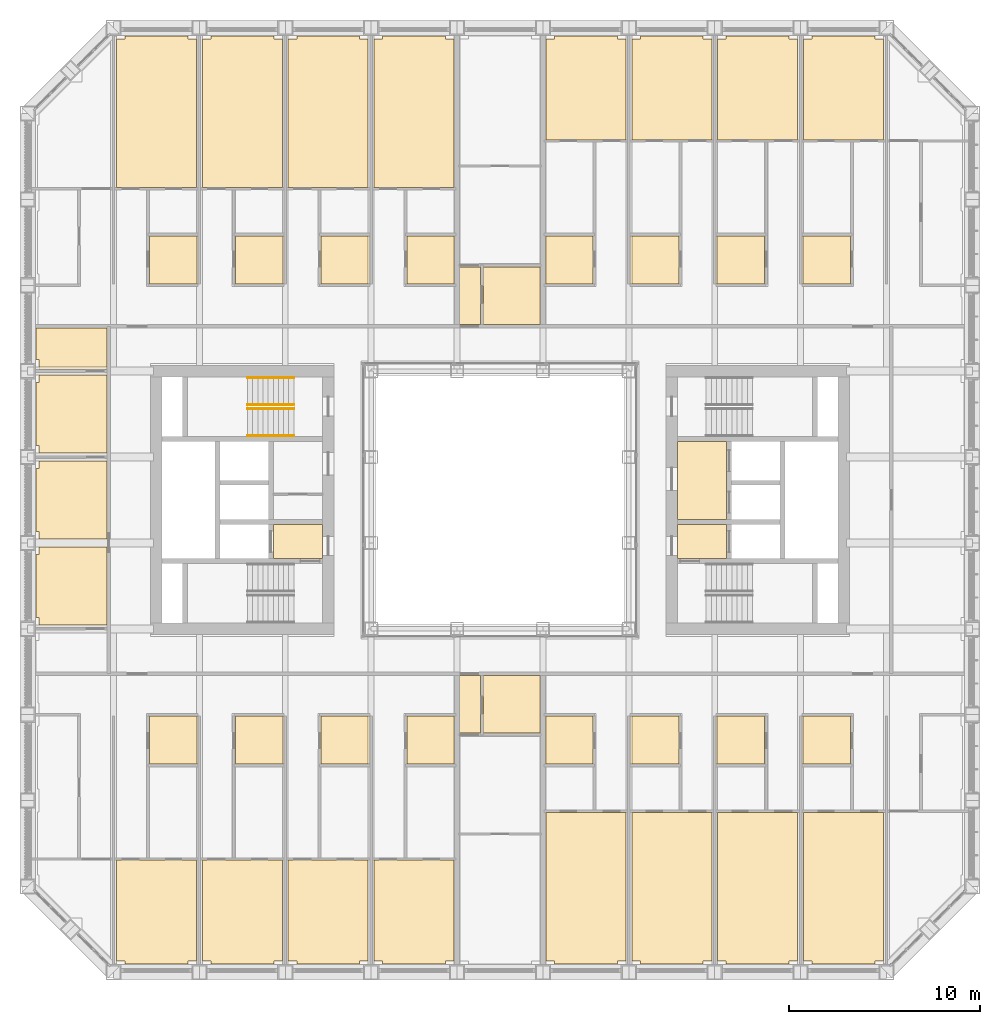
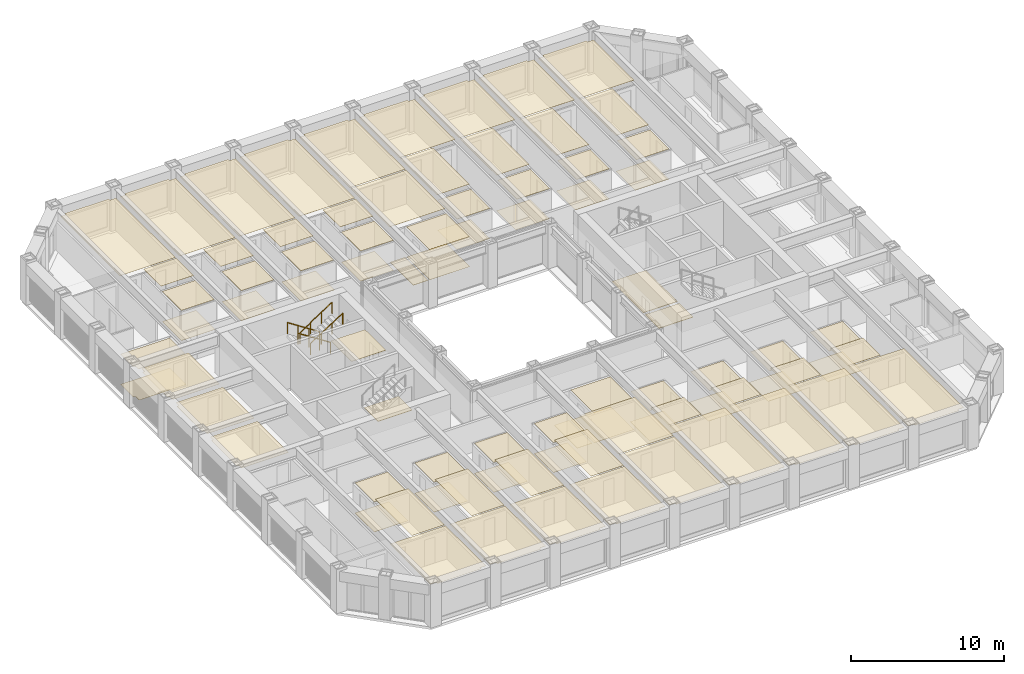
# One storey, part 18 of 21: 4 coverings, 4 railings.
"""IFC4 building model written with IfcOpenShell, lengths in metres."""

from ifc_helpers import new_model, si_unit, direction, frame, origin, origin_2d, place, context, subcontext, project, spatial, line, indexed_curve, circle, outline, extrude, material, layer, layer_set, type_object, element, save


model = new_model("IFC4")

# Units and contexts
model_context = context("Model", 3, precision=1e-05, world=origin(), true_north=direction((0.0, 1.0)))
body_context = subcontext(model_context, "Body", "Model", "MODEL_VIEW")
ifc_project = project(units=[si_unit("LENGTHUNIT", "METRE"), si_unit("AREAUNIT", "SQUARE_METRE"), si_unit("VOLUMEUNIT", "CUBIC_METRE"), si_unit("PLANEANGLEUNIT", "RADIAN"), si_unit("MASSUNIT", "GRAM", prefix="KILO")], contexts=[model_context])

# Site, building, storey
site_placement = place(None, origin())
site = spatial("IfcSite", under=ifc_project, at=site_placement, CompositionType="ELEMENT")
building_placement = place(site_placement, origin())
building = spatial("IfcBuilding", under=site, at=building_placement, Name="Msasa Ring Tower", CompositionType="ELEMENT")
storey_placement = place(building_placement, frame((0.0, 0.0, 100.0)))
storey = spatial("IfcBuildingStorey", under=building, at=storey_placement, Name="L26", CompositionType="ELEMENT", Elevation=100.0)

# Coverings
ifc_material_1 = material(Name="Gypsum plasterboard on a steel suspension grid", Category="steel")
ifc_layer_1 = layer(ifc_material_1, 0.014892578125)
ifc_layer_set_1 = layer_set([ifc_layer_1], Name="C1 SUSPENDED PLASTERBOARD CEILING 15")
covering_type_1 = type_object("IfcCoveringType", Name="C1 SUSPENDED PLASTERBOARD CEILING 15", PredefinedType="CEILING", material=ifc_layer_set_1)
covering_1_placement = place(storey_placement, frame((0.0, 0.0, 2.699951171875)))
element("IfcCovering", 1, at=covering_1_placement, inside=storey, type_object=covering_type_1, Name="Suspended Plasterboard Ceiling 15 L26", PredefinedType="CEILING", context=body_context, shape_type="SweptSolid", body=[
    extrude(outline(indexed_curve([(-24.299560546875, -2.8505859375), (-24.1494140625, -2.8505859375), (-24.1494140625, -2.460693359375), (-20.6005859375, -2.460693359375), (-20.6005859375, -6.539306640625), (-24.1494140625, -6.539306640625), (-24.1494140625, -6.1494140625), (-24.299560546875, -6.1494140625)], segments=[line(1, 2, 3, 4, 5, 6, 7, 8, 1)], self_intersect=False)), origin(), (0.0, 0.0, 1.0), 0.01513671875),
    extrude(outline(indexed_curve([(-24.299560546875, 1.6494140625), (-24.1494140625, 1.6494140625), (-24.1494140625, 2.039306640625), (-20.6005859375, 2.039306640625), (-20.6005859375, -2.039306640625), (-24.1494140625, -2.039306640625), (-24.1494140625, -1.6494140625), (-24.299560546875, -1.6494140625)], segments=[line(1, 2, 3, 4, 5, 6, 7, 8, 1)], self_intersect=False)), origin(), (0.0, 0.0, 1.0), 0.01513671875),
    extrude(outline(indexed_curve([(-24.299560546875, 6.1494140625), (-24.1494140625, 6.1494140625), (-24.1494140625, 6.539306640625), (-20.6005859375, 6.539306640625), (-20.6005859375, 2.460693359375), (-24.1494140625, 2.460693359375), (-24.1494140625, 2.8505859375), (-24.299560546875, 2.8505859375)], segments=[line(1, 2, 3, 4, 5, 6, 7, 8, 1)], self_intersect=False)), origin(), (0.0, 0.0, 1.0), 0.01513671875),
    extrude(outline(indexed_curve([(-15.904296875, -18.867919921875), (-15.904296875, -24.1494140625), (-16.3505859375, -24.1494140625), (-16.3505859375, -24.299560546875), (-19.6494140625, -24.299560546875), (-19.6494140625, -24.1494140625), (-20.095703125, -24.1494140625), (-20.095703125, -18.867919921875)], segments=[line(1, 2, 3, 4, 5, 6, 7, 8, 1)], self_intersect=False)), origin(), (0.0, 0.0, 1.0), 0.01513671875),
    extrude(outline(indexed_curve([(-20.095703125, 16.367919921875), (-20.095703125, 24.1494140625), (-19.6494140625, 24.1494140625), (-19.6494140625, 24.299560546875), (-16.3505859375, 24.299560546875), (-16.3505859375, 24.1494140625), (-15.904296875, 24.1494140625), (-15.904296875, 16.367919921875)], segments=[line(1, 2, 3, 4, 5, 6, 7, 8, 1)], self_intersect=False)), origin(), (0.0, 0.0, 1.0), 0.01513671875),
    extrude(outline(indexed_curve([(-15.904296875, -13.992919921875), (-15.904296875, -18.757080078125), (-18.369384765625, -18.757080078125), (-18.369384765625, -13.992919921875)], segments=[line(1, 2, 3, 4, 1)], self_intersect=False)), origin(), (0.0, 0.0, 1.0), 0.01513671875),
    extrude(outline(indexed_curve([(-15.904296875, 16.257080078125), (-15.904296875, 13.992919921875), (-18.369384765625, 13.992919921875), (-18.369384765625, 16.257080078125)], segments=[line(1, 2, 3, 4, 1)], self_intersect=False)), origin(), (0.0, 0.0, 1.0), 0.01513671875),
    extrude(outline(indexed_curve([(-15.1494140625, -24.299560546875), (-15.1494140625, -24.1494140625), (-15.595703125, -24.1494140625), (-15.595703125, -18.867919921875), (-11.404296875, -18.867919921875), (-11.404296875, -24.1494140625), (-11.8505859375, -24.1494140625), (-11.8505859375, -24.299560546875)], segments=[line(1, 2, 3, 4, 5, 6, 7, 8, 1)], self_intersect=False)), origin(), (0.0, 0.0, 1.0), 0.01513671875),
    extrude(outline(indexed_curve([(-11.8505859375, 24.299560546875), (-11.8505859375, 24.1494140625), (-11.404296875, 24.1494140625), (-11.404296875, 16.367919921875), (-15.595703125, 16.367919921875), (-15.595703125, 24.1494140625), (-15.1494140625, 24.1494140625), (-15.1494140625, 24.299560546875)], segments=[line(1, 2, 3, 4, 5, 6, 7, 8, 1)], self_intersect=False)), origin(), (0.0, 0.0, 1.0), 0.01513671875),
    extrude(outline(indexed_curve([(-13.869384765625, -18.757080078125), (-13.869384765625, -13.992919921875), (-11.404296875, -13.992919921875), (-11.404296875, -18.757080078125)], segments=[line(1, 2, 3, 4, 1)], self_intersect=False)), origin(), (0.0, 0.0, 1.0), 0.01513671875),
    extrude(outline(indexed_curve([(-13.869384765625, 13.992919921875), (-13.869384765625, 16.257080078125), (-11.404296875, 16.257080078125), (-11.404296875, 13.992919921875)], segments=[line(1, 2, 3, 4, 1)], self_intersect=False)), origin(), (0.0, 0.0, 1.0), 0.01513671875),
    extrude(outline(indexed_curve([(-9.300537109375, 3.074462890625), (-9.300537109375, 0.35546875), (-11.87451171875, 0.35546875), (-11.87451171875, 3.074462890625)], segments=[line(1, 2, 3, 4, 1)], self_intersect=False)), origin(), (0.0, 0.0, 1.0), 0.01513671875),
    extrude(outline(indexed_curve([(-10.6494140625, -24.299560546875), (-10.6494140625, -24.1494140625), (-11.095703125, -24.1494140625), (-11.095703125, -18.867919921875), (-6.904296875, -18.867919921875), (-6.904296875, -24.1494140625), (-7.3505859375, -24.1494140625), (-7.3505859375, -24.299560546875)], segments=[line(1, 2, 3, 4, 5, 6, 7, 8, 1)], self_intersect=False)), origin(), (0.0, 0.0, 1.0), 0.01513671875),
    extrude(outline(indexed_curve([(-7.3505859375, 24.299560546875), (-7.3505859375, 24.1494140625), (-6.904296875, 24.1494140625), (-6.904296875, 16.367919921875), (-11.095703125, 16.367919921875), (-11.095703125, 24.1494140625), (-10.6494140625, 24.1494140625), (-10.6494140625, 24.299560546875)], segments=[line(1, 2, 3, 4, 5, 6, 7, 8, 1)], self_intersect=False)), origin(), (0.0, 0.0, 1.0), 0.01513671875),
    extrude(outline(indexed_curve([(-6.904296875, -13.992919921875), (-6.904296875, -18.757080078125), (-9.369384765625, -18.757080078125), (-9.369384765625, -13.992919921875)], segments=[line(1, 2, 3, 4, 1)], self_intersect=False)), origin(), (0.0, 0.0, 1.0), 0.01513671875),
    extrude(outline(indexed_curve([(-9.369384765625, 13.992919921875), (-9.369384765625, 16.257080078125), (-6.904296875, 16.257080078125), (-6.904296875, 13.992919921875)], segments=[line(1, 2, 3, 4, 1)], self_intersect=False)), origin(), (0.0, 0.0, 1.0), 0.01513671875),
    extrude(outline(indexed_curve([(-6.1494140625, -24.299560546875), (-6.1494140625, -24.1494140625), (-6.595703125, -24.1494140625), (-6.595703125, -18.867919921875), (-2.404296875, -18.867919921875), (-2.404296875, -24.1494140625), (-2.8505859375, -24.1494140625), (-2.8505859375, -24.299560546875)], segments=[line(1, 2, 3, 4, 5, 6, 7, 8, 1)], self_intersect=False)), origin(), (0.0, 0.0, 1.0), 0.01513671875),
    extrude(outline(indexed_curve([(-2.8505859375, 24.299560546875), (-2.8505859375, 24.1494140625), (-2.404296875, 24.1494140625), (-2.404296875, 16.367919921875), (-6.595703125, 16.367919921875), (-6.595703125, 24.1494140625), (-6.1494140625, 24.1494140625), (-6.1494140625, 24.299560546875)], segments=[line(1, 2, 3, 4, 5, 6, 7, 8, 1)], self_intersect=False)), origin(), (0.0, 0.0, 1.0), 0.01513671875),
    extrude(outline(indexed_curve([(-2.404296875, -13.992919921875), (-2.404296875, -18.757080078125), (-4.869384765625, -18.757080078125), (-4.869384765625, -13.992919921875)], segments=[line(1, 2, 3, 4, 1)], self_intersect=False)), origin(), (0.0, 0.0, 1.0), 0.01513671875),
    extrude(outline(indexed_curve([(-2.404296875, 16.257080078125), (-2.404296875, 13.992919921875), (-4.869384765625, 13.992919921875), (-4.869384765625, 16.257080078125)], segments=[line(1, 2, 3, 4, 1)], self_intersect=False)), origin(), (0.0, 0.0, 1.0), 0.01513671875),
    extrude(outline(indexed_curve([(-1.6494140625, -24.299560546875), (-1.6494140625, -24.1494140625), (-2.095703125, -24.1494140625), (-2.095703125, -17.555419921875), (2.095703125, -17.555419921875), (2.095703125, -24.1494140625), (1.6494140625, -24.1494140625), (1.6494140625, -24.299560546875)], segments=[line(1, 2, 3, 4, 5, 6, 7, 8, 1)], self_intersect=False)), origin(), (0.0, 0.0, 1.0), 0.01513671875),
    extrude(outline(indexed_curve([(-2.095703125, -17.444580078125), (-2.095703125, -12.380615234375), (2.095703125, -12.380615234375), (2.095703125, -17.444580078125)], segments=[line(1, 2, 3, 4, 1)], self_intersect=False)), origin(), (0.0, 0.0, 1.0), 0.01513671875),
    extrude(outline(indexed_curve([(2.095703125, 17.444580078125), (2.095703125, 12.380615234375), (-2.095703125, 12.380615234375), (-2.095703125, 17.444580078125)], segments=[line(1, 2, 3, 4, 1)], self_intersect=False)), origin(), (0.0, 0.0, 1.0), 0.01513671875),
    extrude(outline(indexed_curve([(1.6494140625, 24.299560546875), (1.6494140625, 24.1494140625), (2.095703125, 24.1494140625), (2.095703125, 17.555419921875), (-2.095703125, 17.555419921875), (-2.095703125, 24.1494140625), (-1.6494140625, 24.1494140625), (-1.6494140625, 24.299560546875)], segments=[line(1, 2, 3, 4, 5, 6, 7, 8, 1)], self_intersect=False)), origin(), (0.0, 0.0, 1.0), 0.01513671875),
    extrude(outline(indexed_curve([(2.8505859375, -24.299560546875), (2.8505859375, -24.1494140625), (2.404296875, -24.1494140625), (2.404296875, -16.367919921875), (6.595703125, -16.367919921875), (6.595703125, -24.1494140625), (6.1494140625, -24.1494140625), (6.1494140625, -24.299560546875)], segments=[line(1, 2, 3, 4, 5, 6, 7, 8, 1)], self_intersect=False)), origin(), (0.0, 0.0, 1.0), 0.01513671875),
    extrude(outline(indexed_curve([(4.869384765625, -13.992919921875), (4.869384765625, -16.257080078125), (2.404296875, -16.257080078125), (2.404296875, -13.992919921875)], segments=[line(1, 2, 3, 4, 1)], self_intersect=False)), origin(), (0.0, 0.0, 1.0), 0.01513671875),
    extrude(outline(indexed_curve([(4.869384765625, 13.992919921875), (2.404296875, 13.992919921875), (2.404296875, 18.757080078125), (4.869384765625, 18.757080078125)], segments=[line(1, 2, 3, 4, 1)], self_intersect=False)), origin(), (0.0, 0.0, 1.0), 0.01513671875),
    extrude(outline(indexed_curve([(6.1494140625, 24.299560546875), (6.1494140625, 24.1494140625), (6.595703125, 24.1494140625), (6.595703125, 18.867919921875), (2.404296875, 18.867919921875), (2.404296875, 24.1494140625), (2.8505859375, 24.1494140625), (2.8505859375, 24.299560546875)], segments=[line(1, 2, 3, 4, 5, 6, 7, 8, 1)], self_intersect=False)), origin(), (0.0, 0.0, 1.0), 0.01513671875),
    extrude(outline(indexed_curve([(7.3505859375, -24.299560546875), (7.3505859375, -24.1494140625), (6.904296875, -24.1494140625), (6.904296875, -16.367919921875), (11.095703125, -16.367919921875), (11.095703125, -24.1494140625), (10.6494140625, -24.1494140625), (10.6494140625, -24.299560546875)], segments=[line(1, 2, 3, 4, 5, 6, 7, 8, 1)], self_intersect=False)), origin(), (0.0, 0.0, 1.0), 0.01513671875),
    extrude(outline(indexed_curve([(9.369384765625, -13.992919921875), (9.369384765625, -16.257080078125), (6.904296875, -16.257080078125), (6.904296875, -13.992919921875)], segments=[line(1, 2, 3, 4, 1)], self_intersect=False)), origin(), (0.0, 0.0, 1.0), 0.01513671875),
    extrude(outline(indexed_curve([(9.369384765625, 18.757080078125), (9.369384765625, 13.992919921875), (6.904296875, 13.992919921875), (6.904296875, 18.757080078125)], segments=[line(1, 2, 3, 4, 1)], self_intersect=False)), origin(), (0.0, 0.0, 1.0), 0.01513671875),
    extrude(outline(indexed_curve([(10.6494140625, 24.299560546875), (10.6494140625, 24.1494140625), (11.095703125, 24.1494140625), (11.095703125, 18.867919921875), (6.904296875, 18.867919921875), (6.904296875, 24.1494140625), (7.3505859375, 24.1494140625), (7.3505859375, 24.299560546875)], segments=[line(1, 2, 3, 4, 5, 6, 7, 8, 1)], self_intersect=False)), origin(), (0.0, 0.0, 1.0), 0.01513671875),
    extrude(outline(indexed_curve([(11.8505859375, -24.299560546875), (11.8505859375, -24.1494140625), (11.404296875, -24.1494140625), (11.404296875, -16.367919921875), (15.595703125, -16.367919921875), (15.595703125, -24.1494140625), (15.1494140625, -24.1494140625), (15.1494140625, -24.299560546875)], segments=[line(1, 2, 3, 4, 5, 6, 7, 8, 1)], self_intersect=False)), origin(), (0.0, 0.0, 1.0), 0.01513671875),
    extrude(outline(indexed_curve([(13.869384765625, -16.257080078125), (11.404296875, -16.257080078125), (11.404296875, -13.992919921875), (13.869384765625, -13.992919921875)], segments=[line(1, 2, 3, 4, 1)], self_intersect=False)), origin(), (0.0, 0.0, 1.0), 0.01513671875),
    extrude(outline(indexed_curve([(13.869384765625, 18.757080078125), (13.869384765625, 13.992919921875), (11.404296875, 13.992919921875), (11.404296875, 18.757080078125)], segments=[line(1, 2, 3, 4, 1)], self_intersect=False)), origin(), (0.0, 0.0, 1.0), 0.01513671875),
    extrude(outline(indexed_curve([(15.1494140625, 24.299560546875), (15.1494140625, 24.1494140625), (15.595703125, 24.1494140625), (15.595703125, 18.867919921875), (11.404296875, 18.867919921875), (11.404296875, 24.1494140625), (11.8505859375, 24.1494140625), (11.8505859375, 24.299560546875)], segments=[line(1, 2, 3, 4, 5, 6, 7, 8, 1)], self_intersect=False)), origin(), (0.0, 0.0, 1.0), 0.01513671875),
    extrude(outline(indexed_curve([(16.3505859375, -24.299560546875), (16.3505859375, -24.1494140625), (15.904296875, -24.1494140625), (15.904296875, -16.367919921875), (20.095703125, -16.367919921875), (20.095703125, -24.1494140625), (19.6494140625, -24.1494140625), (19.6494140625, -24.299560546875)], segments=[line(1, 2, 3, 4, 5, 6, 7, 8, 1)], self_intersect=False)), origin(), (0.0, 0.0, 1.0), 0.01513671875),
    extrude(outline(indexed_curve([(18.369384765625, -16.257080078125), (15.904296875, -16.257080078125), (15.904296875, -13.992919921875), (18.369384765625, -13.992919921875)], segments=[line(1, 2, 3, 4, 1)], self_intersect=False)), origin(), (0.0, 0.0, 1.0), 0.01513671875),
    extrude(outline(indexed_curve([(18.369384765625, 13.992919921875), (15.904296875, 13.992919921875), (15.904296875, 18.757080078125), (18.369384765625, 18.757080078125)], segments=[line(1, 2, 3, 4, 1)], self_intersect=False)), origin(), (0.0, 0.0, 1.0), 0.01513671875),
    extrude(outline(indexed_curve([(19.6494140625, 24.299560546875), (19.6494140625, 24.1494140625), (20.095703125, 24.1494140625), (20.095703125, 18.867919921875), (15.904296875, 18.867919921875), (15.904296875, 24.1494140625), (16.3505859375, 24.1494140625), (16.3505859375, 24.299560546875)], segments=[line(1, 2, 3, 4, 5, 6, 7, 8, 1)], self_intersect=False)), origin(), (0.0, 0.0, 1.0), 0.01513671875),
])
ifc_material_2 = material(Name="Moisture-resistant gypsum plasterboard on a steel suspension grid", Category="steel")
ifc_layer_2 = layer(ifc_material_2, 0.014892578125)
ifc_layer_set_2 = layer_set([ifc_layer_2], Name="C2 MOISTURE-RESISTANT PLASTERBOARD CEILING 15")
covering_type_2 = type_object("IfcCoveringType", Name="C2 MOISTURE-RESISTANT PLASTERBOARD CEILING 15", PredefinedType="CEILING", material=ifc_layer_set_2)
covering_2_placement = place(storey_placement, frame((0.0, 0.0, 2.39990234375)))
element("IfcCovering", 2, at=covering_2_placement, inside=storey, type_object=covering_type_2, Name="Moisture-Resistant Plasterboard Ceiling 15 L26", PredefinedType="CEILING", context=body_context, shape_type="SweptSolid", body=[
    extrude(outline(indexed_curve([(-20.6005859375, 6.960693359375), (-24.1494140625, 6.960693359375), (-24.1494140625, 7.3505859375), (-24.299560546875, 7.3505859375), (-24.299560546875, 8.99951171875), (-20.6005859375, 8.99951171875)], segments=[line(1, 2, 3, 4, 5, 6, 1)], self_intersect=False)), origin(), (0.0, 0.0, 1.0), 0.01513671875),
    extrude(outline(indexed_curve([(-18.369384765625, -11.318115234375), (-15.904296875, -11.318115234375), (-15.904296875, -13.83203125), (-18.369384765625, -13.83203125)], segments=[line(1, 2, 3, 4, 1)], self_intersect=False)), origin(), (0.0, 0.0, 1.0), 0.01513671875),
    extrude(outline(indexed_curve([(-18.369384765625, 13.83203125), (-15.904296875, 13.83203125), (-15.904296875, 11.318115234375), (-18.369384765625, 11.318115234375)], segments=[line(1, 2, 3, 4, 1)], self_intersect=False)), origin(), (0.0, 0.0, 1.0), 0.01513671875),
    extrude(outline(indexed_curve([(-13.869384765625, -11.318115234375), (-11.404296875, -11.318115234375), (-11.404296875, -13.83203125), (-13.869384765625, -13.83203125)], segments=[line(1, 2, 3, 4, 1)], self_intersect=False)), origin(), (0.0, 0.0, 1.0), 0.01513671875),
    extrude(outline(indexed_curve([(-11.404296875, 13.83203125), (-11.404296875, 11.318115234375), (-13.869384765625, 11.318115234375), (-13.869384765625, 13.83203125)], segments=[line(1, 2, 3, 4, 1)], self_intersect=False)), origin(), (0.0, 0.0, 1.0), 0.01513671875),
    extrude(outline(indexed_curve([(-9.369384765625, -11.318115234375), (-6.904296875, -11.318115234375), (-6.904296875, -13.83203125), (-9.369384765625, -13.83203125)], segments=[line(1, 2, 3, 4, 1)], self_intersect=False)), origin(), (0.0, 0.0, 1.0), 0.01513671875),
    extrude(outline(indexed_curve([(-6.904296875, 13.83203125), (-6.904296875, 11.318115234375), (-9.369384765625, 11.318115234375), (-9.369384765625, 13.83203125)], segments=[line(1, 2, 3, 4, 1)], self_intersect=False)), origin(), (0.0, 0.0, 1.0), 0.01513671875),
    extrude(outline(indexed_curve([(-4.869384765625, -11.318115234375), (-2.404296875, -11.318115234375), (-2.404296875, -13.83203125), (-4.869384765625, -13.83203125)], segments=[line(1, 2, 3, 4, 1)], self_intersect=False)), origin(), (0.0, 0.0, 1.0), 0.01513671875),
    extrude(outline(indexed_curve([(-4.869384765625, 13.83203125), (-2.404296875, 13.83203125), (-2.404296875, 11.318115234375), (-4.869384765625, 11.318115234375)], segments=[line(1, 2, 3, 4, 1)], self_intersect=False)), origin(), (0.0, 0.0, 1.0), 0.01513671875),
    extrude(outline(indexed_curve([(-0.8994140625, -9.200439453125), (2.095703125, -9.200439453125), (2.095703125, -12.219482421875), (-0.8994140625, -12.219482421875)], segments=[line(1, 2, 3, 4, 1)], self_intersect=False)), origin(), (0.0, 0.0, 1.0), 0.01513671875),
    extrude(outline(indexed_curve([(-0.8994140625, 12.219482421875), (2.095703125, 12.219482421875), (2.095703125, 9.200439453125), (-0.8994140625, 9.200439453125)], segments=[line(1, 2, 3, 4, 1)], self_intersect=False)), origin(), (0.0, 0.0, 1.0), 0.01513671875),
    extrude(outline(indexed_curve([(4.869384765625, -11.318115234375), (4.869384765625, -13.83203125), (2.404296875, -13.83203125), (2.404296875, -11.318115234375)], segments=[line(1, 2, 3, 4, 1)], self_intersect=False)), origin(), (0.0, 0.0, 1.0), 0.01513671875),
    extrude(outline(indexed_curve([(4.869384765625, 13.83203125), (4.869384765625, 11.318115234375), (2.404296875, 11.318115234375), (2.404296875, 13.83203125)], segments=[line(1, 2, 3, 4, 1)], self_intersect=False)), origin(), (0.0, 0.0, 1.0), 0.01513671875),
    extrude(outline(indexed_curve([(9.369384765625, -11.318115234375), (9.369384765625, -13.83203125), (6.904296875, -13.83203125), (6.904296875, -11.318115234375)], segments=[line(1, 2, 3, 4, 1)], self_intersect=False)), origin(), (0.0, 0.0, 1.0), 0.01513671875),
    extrude(outline(indexed_curve([(9.369384765625, 13.83203125), (9.369384765625, 11.318115234375), (6.904296875, 11.318115234375), (6.904296875, 13.83203125)], segments=[line(1, 2, 3, 4, 1)], self_intersect=False)), origin(), (0.0, 0.0, 1.0), 0.01513671875),
    extrude(outline(indexed_curve([(13.869384765625, -11.318115234375), (13.869384765625, -13.83203125), (11.404296875, -13.83203125), (11.404296875, -11.318115234375)], segments=[line(1, 2, 3, 4, 1)], self_intersect=False)), origin(), (0.0, 0.0, 1.0), 0.01513671875),
    extrude(outline(indexed_curve([(13.869384765625, 13.83203125), (13.869384765625, 11.318115234375), (11.404296875, 11.318115234375), (11.404296875, 13.83203125)], segments=[line(1, 2, 3, 4, 1)], self_intersect=False)), origin(), (0.0, 0.0, 1.0), 0.01513671875),
    extrude(outline(indexed_curve([(18.369384765625, -11.318115234375), (18.369384765625, -13.83203125), (15.904296875, -13.83203125), (15.904296875, -11.318115234375)], segments=[line(1, 2, 3, 4, 1)], self_intersect=False)), origin(), (0.0, 0.0, 1.0), 0.01513671875),
    extrude(outline(indexed_curve([(18.369384765625, 13.83203125), (18.369384765625, 11.318115234375), (15.904296875, 11.318115234375), (15.904296875, 13.83203125)], segments=[line(1, 2, 3, 4, 1)], self_intersect=False)), origin(), (0.0, 0.0, 1.0), 0.01513671875),
])
ifc_material_3 = material(Name="Honed granite tiles on a mortar bed", Category="masonry")
ifc_layer_3 = layer(ifc_material_3, 0.030029296875)
ifc_layer_set_3 = layer_set([ifc_layer_3], Name="F1 HONED GRANITE ON BEDDING 30")
covering_type_3 = type_object("IfcCoveringType", Name="F1 HONED GRANITE ON BEDDING 30", PredefinedType="FLOORING", material=ifc_layer_set_3)
covering_3_placement = place(storey_placement, origin())
element("IfcCovering", 3, at=covering_3_placement, inside=storey, type_object=covering_type_3, Name="Honed Granite On Bedding 30 L26", PredefinedType="FLOORING", context=body_context, shape_type="SweptSolid", body=[
    extrude(outline(indexed_curve([(-11.87451171875, -3.074462890625), (-11.87451171875, -1.275390625), (-9.300537109375, -1.275390625), (-9.300537109375, -3.074462890625)], segments=[line(1, 2, 3, 4, 1)], self_intersect=False)), origin(), (0.0, 0.0, 1.0), 0.030029296875),
    extrude(outline(indexed_curve([(-2.12451171875, -12.219482421875), (-2.12451171875, -9.200439453125), (-1.025390625, -9.200439453125), (-1.025390625, -12.219482421875)], segments=[line(1, 2, 3, 4, 1)], self_intersect=False)), origin(), (0.0, 0.0, 1.0), 0.030029296875),
    extrude(outline(indexed_curve([(-1.025390625, 12.219482421875), (-1.025390625, 9.200439453125), (-2.12451171875, 9.200439453125), (-2.12451171875, 12.219482421875)], segments=[line(1, 2, 3, 4, 1)], self_intersect=False)), origin(), (0.0, 0.0, 1.0), 0.030029296875),
    extrude(outline(indexed_curve([(9.300537109375, -3.074462890625), (9.300537109375, -1.275390625), (11.87451171875, -1.275390625), (11.87451171875, -3.074462890625)], segments=[line(1, 2, 3, 4, 1)], self_intersect=False)), origin(), (0.0, 0.0, 1.0), 0.030029296875),
    extrude(outline(indexed_curve([(9.300537109375, 3.074462890625), (11.87451171875, 3.074462890625), (11.87451171875, -1.0244140625), (9.300537109375, -1.0244140625)], segments=[line(1, 2, 3, 4, 1)], self_intersect=False)), origin(), (0.0, 0.0, 1.0), 0.030029296875),
])
ifc_material_4 = material(Name="Porcelain floor tiles in adhesive", Category="ceramic")
ifc_layer_4 = layer(ifc_material_4, 0.010009765625)
ifc_layer_set_4 = layer_set([ifc_layer_4], Name="F4 PORCELAIN TILE ON ADHESIVE 10")
covering_type_4 = type_object("IfcCoveringType", Name="F4 PORCELAIN TILE ON ADHESIVE 10", PredefinedType="FLOORING", material=ifc_layer_set_4)
covering_4_placement = place(storey_placement, origin())
element("IfcCovering", 4, at=covering_4_placement, inside=storey, type_object=covering_type_4, Name="Porcelain Tile On Adhesive 10 L26", PredefinedType="FLOORING", context=body_context, shape_type="SweptSolid", body=[
    extrude(outline(indexed_curve([(-24.1494140625, 6.83056640625), (-24.1494140625, 7.3505859375), (-24.299560546875, 7.3505859375), (-24.299560546875, 8.99951171875), (-20.6005859375, 8.99951171875), (-20.6005859375, 6.83056640625)], segments=[line(1, 2, 3, 4, 5, 6, 1)], self_intersect=False)), origin(), (0.0, 0.0, 1.0), 0.010009765625),
    extrude(outline(indexed_curve([(-15.818115234375, -11.318115234375), (-15.818115234375, -13.83203125), (-18.369384765625, -13.83203125), (-18.369384765625, -11.318115234375)], segments=[line(1, 2, 3, 4, 1)], self_intersect=False)), origin(), (0.0, 0.0, 1.0), 0.010009765625),
    extrude(outline(indexed_curve([(-15.818115234375, 13.83203125), (-15.818115234375, 11.318115234375), (-18.369384765625, 11.318115234375), (-18.369384765625, 13.83203125)], segments=[line(1, 2, 3, 4, 1)], self_intersect=False)), origin(), (0.0, 0.0, 1.0), 0.010009765625),
    extrude(outline(indexed_curve([(-11.318115234375, -11.318115234375), (-11.318115234375, -13.83203125), (-13.869384765625, -13.83203125), (-13.869384765625, -11.318115234375)], segments=[line(1, 2, 3, 4, 1)], self_intersect=False)), origin(), (0.0, 0.0, 1.0), 0.010009765625),
    extrude(outline(indexed_curve([(-11.318115234375, 11.318115234375), (-13.869384765625, 11.318115234375), (-13.869384765625, 13.83203125), (-11.318115234375, 13.83203125)], segments=[line(1, 2, 3, 4, 1)], self_intersect=False)), origin(), (0.0, 0.0, 1.0), 0.010009765625),
    extrude(outline(indexed_curve([(-6.818115234375, -11.318115234375), (-6.818115234375, -13.83203125), (-9.369384765625, -13.83203125), (-9.369384765625, -11.318115234375)], segments=[line(1, 2, 3, 4, 1)], self_intersect=False)), origin(), (0.0, 0.0, 1.0), 0.010009765625),
    extrude(outline(indexed_curve([(-6.818115234375, 11.318115234375), (-9.369384765625, 11.318115234375), (-9.369384765625, 13.83203125), (-6.818115234375, 13.83203125)], segments=[line(1, 2, 3, 4, 1)], self_intersect=False)), origin(), (0.0, 0.0, 1.0), 0.010009765625),
    extrude(outline(indexed_curve([(-2.37548828125, -11.318115234375), (-2.37548828125, -13.83203125), (-4.869384765625, -13.83203125), (-4.869384765625, -11.318115234375)], segments=[line(1, 2, 3, 4, 1)], self_intersect=False)), origin(), (0.0, 0.0, 1.0), 0.010009765625),
    extrude(outline(indexed_curve([(-2.37548828125, 13.83203125), (-2.37548828125, 11.318115234375), (-4.869384765625, 11.318115234375), (-4.869384765625, 13.83203125)], segments=[line(1, 2, 3, 4, 1)], self_intersect=False)), origin(), (0.0, 0.0, 1.0), 0.010009765625),
    extrude(outline(indexed_curve([(2.12451171875, -9.200439453125), (2.12451171875, -12.219482421875), (-0.87451171875, -12.219482421875), (-0.87451171875, -9.200439453125)], segments=[line(1, 2, 3, 4, 1)], self_intersect=False)), origin(), (0.0, 0.0, 1.0), 0.010009765625),
    extrude(outline(indexed_curve([(2.12451171875, 12.219482421875), (2.12451171875, 9.200439453125), (-0.87451171875, 9.200439453125), (-0.87451171875, 12.219482421875)], segments=[line(1, 2, 3, 4, 1)], self_intersect=False)), origin(), (0.0, 0.0, 1.0), 0.010009765625),
    extrude(outline(indexed_curve([(4.869384765625, -11.318115234375), (4.869384765625, -13.83203125), (2.37548828125, -13.83203125), (2.37548828125, -11.318115234375)], segments=[line(1, 2, 3, 4, 1)], self_intersect=False)), origin(), (0.0, 0.0, 1.0), 0.010009765625),
    extrude(outline(indexed_curve([(4.869384765625, 13.83203125), (4.869384765625, 11.318115234375), (2.37548828125, 11.318115234375), (2.37548828125, 13.83203125)], segments=[line(1, 2, 3, 4, 1)], self_intersect=False)), origin(), (0.0, 0.0, 1.0), 0.010009765625),
    extrude(outline(indexed_curve([(9.369384765625, -11.318115234375), (9.369384765625, -13.83203125), (6.818115234375, -13.83203125), (6.818115234375, -11.318115234375)], segments=[line(1, 2, 3, 4, 1)], self_intersect=False)), origin(), (0.0, 0.0, 1.0), 0.010009765625),
    extrude(outline(indexed_curve([(9.369384765625, 13.83203125), (9.369384765625, 11.318115234375), (6.818115234375, 11.318115234375), (6.818115234375, 13.83203125)], segments=[line(1, 2, 3, 4, 1)], self_intersect=False)), origin(), (0.0, 0.0, 1.0), 0.010009765625),
    extrude(outline(indexed_curve([(13.869384765625, -13.83203125), (11.318115234375, -13.83203125), (11.318115234375, -11.318115234375), (13.869384765625, -11.318115234375)], segments=[line(1, 2, 3, 4, 1)], self_intersect=False)), origin(), (0.0, 0.0, 1.0), 0.010009765625),
    extrude(outline(indexed_curve([(13.869384765625, 11.318115234375), (11.318115234375, 11.318115234375), (11.318115234375, 13.83203125), (13.869384765625, 13.83203125)], segments=[line(1, 2, 3, 4, 1)], self_intersect=False)), origin(), (0.0, 0.0, 1.0), 0.010009765625),
    extrude(outline(indexed_curve([(18.369384765625, -13.83203125), (15.818115234375, -13.83203125), (15.818115234375, -11.318115234375), (18.369384765625, -11.318115234375)], segments=[line(1, 2, 3, 4, 1)], self_intersect=False)), origin(), (0.0, 0.0, 1.0), 0.010009765625),
    extrude(outline(indexed_curve([(18.369384765625, 11.318115234375), (15.818115234375, 11.318115234375), (15.818115234375, 13.83203125), (18.369384765625, 13.83203125)], segments=[line(1, 2, 3, 4, 1)], self_intersect=False)), origin(), (0.0, 0.0, 1.0), 0.010009765625),
])

# Railings
ifc_material_5 = material(Name="Stainless steel", Category="steel")
railing_type = type_object("IfcRailingType", Name="HR1 HANDRAIL 900", PredefinedType="HANDRAIL", material=ifc_material_5)
for number, where, name in (
    (5, (-10.800048828125, 5.0, 0.175048828125), "Handrail stair SWB L26 1"),
    (6, (-10.800048828125, 6.39990234375, 0.175048828125), "Handrail stair SWB L26 2"),
):
    element("IfcRailing", number, at=place(storey_placement, frame(where)), inside=storey, type_object=railing_type, Name=name, PredefinedType="HANDRAIL", context=body_context, shape_type="SweptSolid", body=[
        extrude(circle(Radius=0.02392578125, at=origin_2d()), frame((0.0, 0.0, 0.8759765625), z_axis=(-0.839153699163, 0.0, 0.543894354798), x_axis=(0.0, -1.0, 0.0)), (0.0, 0.0, 1.0), 2.895751953125),
        extrude(circle(Radius=0.02099609375, at=origin_2d()), origin(), (0.0, 0.0, 1.0), 0.851806640625),
        extrude(circle(Radius=0.02099609375, at=origin_2d()), frame((-0.81005859375, 0.0, 0.52490234375)), (0.0, 0.0, 1.0), 0.851806640625),
        extrude(circle(Radius=0.02099609375, at=origin_2d()), frame((-1.619873046875, 0.0, 1.050048828125)), (0.0, 0.0, 1.0), 0.851806640625),
        extrude(circle(Radius=0.02099609375, at=origin_2d()), frame((-2.429931640625, 0.0, 1.574951171875)), (0.0, 0.0, 1.0), 0.851806640625),
    ])
for number, where, name in (
    (7, (-13.22998046875, 3.375, 1.925048828125), "Handrail stair SWB L26 3"),
    (8, (-13.22998046875, 4.77490234375, 1.925048828125), "Handrail stair SWB L26 4"),
):
    element("IfcRailing", number, at=place(storey_placement, frame(where)), inside=storey, type_object=railing_type, Name=name, PredefinedType="HANDRAIL", context=body_context, shape_type="SweptSolid", body=[
        extrude(circle(Radius=0.02392578125, at=origin_2d()), frame((0.0, 0.0, 0.8759765625), z_axis=(0.839153699163, 0.0, 0.543894354798), x_axis=(0.0, 1.0, 0.0)), (0.0, 0.0, 1.0), 2.895751953125),
        extrude(circle(Radius=0.02099609375, at=origin_2d()), origin(), (0.0, 0.0, 1.0), 0.851806640625),
        extrude(circle(Radius=0.02099609375, at=origin_2d()), frame((0.81005859375, 0.0, 0.52490234375)), (0.0, 0.0, 1.0), 0.851806640625),
        extrude(circle(Radius=0.02099609375, at=origin_2d()), frame((1.619873046875, 0.0, 1.050048828125)), (0.0, 0.0, 1.0), 0.851806640625),
        extrude(circle(Radius=0.02099609375, at=origin_2d()), frame((2.429931640625, 0.0, 1.574951171875)), (0.0, 0.0, 1.0), 0.851806640625),
    ])

save(model, "model.ifc")
